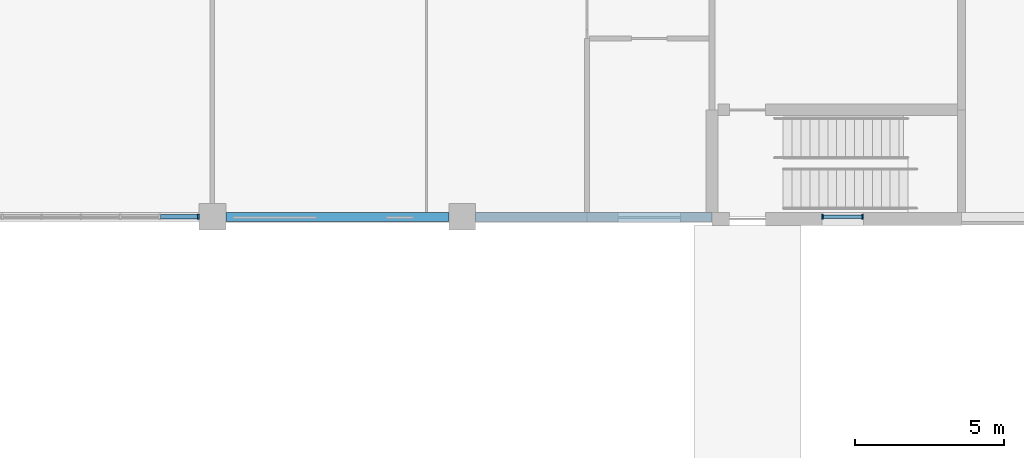
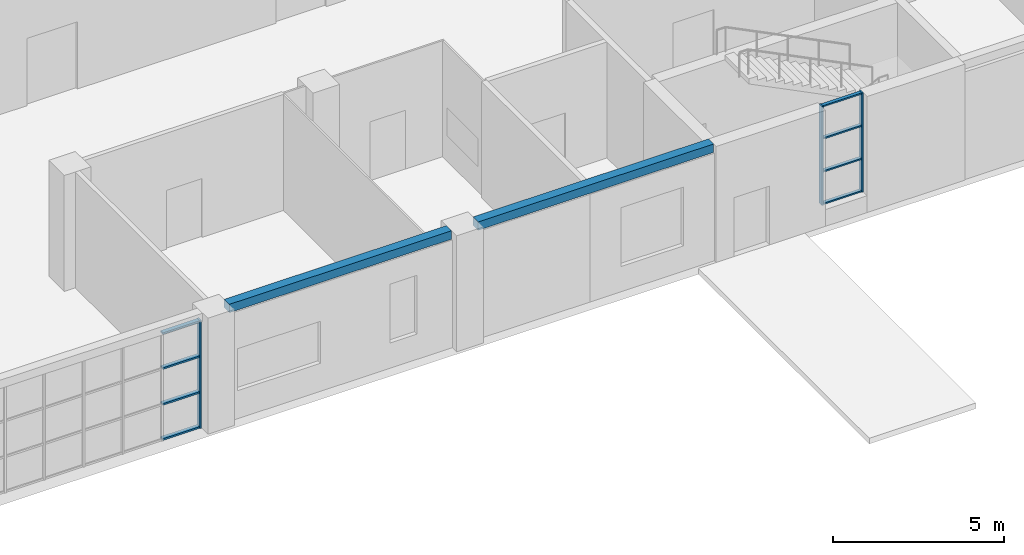
# One storey, part 60 of 138: 11 members, 2 beams, 2 elements without a shape of their own.
"""IFC4 building model written with IfcOpenShell, lengths in metres."""

from ifc_helpers import new_model, si_unit, direction, frame, origin, origin_2d, place, context, subcontext, project, spatial, rectangle, extrude, material, material_profile, profile_set, type_object, element, aggregate, save


model = new_model("IFC4")

# Units and contexts
model_context = context("Model", 3, precision=1e-05, world=origin(), true_north=direction((0.0, 1.0)))
body_context = subcontext(model_context, "Body", "Model", "MODEL_VIEW")
ifc_project = project(units=[si_unit("LENGTHUNIT", "METRE"), si_unit("AREAUNIT", "SQUARE_METRE"), si_unit("VOLUMEUNIT", "CUBIC_METRE"), si_unit("PLANEANGLEUNIT", "RADIAN"), si_unit("MASSUNIT", "GRAM", prefix="KILO")], contexts=[model_context])

# Site, building, storey
site_placement = place(None, origin())
site = spatial("IfcSite", under=ifc_project, at=site_placement, CompositionType="ELEMENT")
building_placement = place(site_placement, origin())
building = spatial("IfcBuilding", under=site, at=building_placement, Name="Yavir Park General Hospital", CompositionType="ELEMENT")
storey_placement = place(building_placement, origin())
storey = spatial("IfcBuildingStorey", under=building, at=storey_placement, Name="L00", CompositionType="ELEMENT", Elevation=0.0)

# Beams
ifc_material_1 = material(Name="Concrete C35/45", Category="concrete")
ifc_material_profile_1 = material_profile(ifc_material_1, rectangle(XDim=0.300048828125, YDim=0.300048828125, at=origin_2d()), Name="RC300x300")
ifc_profile_set_1 = profile_set([ifc_material_profile_1], Name="Concrete C35/45")
beam_type = type_object("IfcBeamType", Name="RC BEAM 300x300 edge beam", PredefinedType="BEAM", material=ifc_profile_set_1)
beam_1_placement = place(storey_placement, frame((118.050048828125, 0.0, 3.989990234375), z_axis=(1.0, 0.0, 0.0), x_axis=(0.0, 1.0, 0.0)))
element("IfcBeam", 1, at=beam_1_placement, inside=storey, type_object=beam_type, Name="B:EDGE:L00:008", PredefinedType="BEAM", context=body_context, shape_type="SweptSolid", body=[
    extrude(rectangle(XDim=0.300048828125, YDim=0.300048828125, at=origin_2d()), origin(), (0.0, 0.0, 1.0), 7.5),
])
beam_2_placement = place(storey_placement, frame((126.449951171875, 0.0, 3.989990234375), z_axis=(1.0, 0.0, 0.0), x_axis=(0.0, 1.0, 0.0)))
element("IfcBeam", 2, at=beam_2_placement, inside=storey, type_object=beam_type, Name="B:EDGE:L00:009", PredefinedType="BEAM", context=body_context, shape_type="SweptSolid", body=[
    extrude(rectangle(XDim=0.300048828125, YDim=0.300048828125, at=origin_2d()), origin(), (0.0, 0.0, 1.0), 7.949951171875),
])

# Curtain wall, members
ifc_material_2 = material(Name="Aluminium curtain wall frame with insulated glazing", Category="aluminium")
curtain_wall_type_1 = type_object("IfcCurtainWallType", Name="Reception glazing, 3840 high, 1400 module", PredefinedType="NOTDEFINED", material=ifc_material_2)
curtain_wall_1_placement = place(storey_placement, origin())
curtain_wall_1 = element("IfcCurtainWall", 3, at=curtain_wall_1_placement, inside=storey, type_object=curtain_wall_type_1, Name="CW8 L00-004", PredefinedType="NOTDEFINED")
ifc_material_3 = material(Name="Aluminium", Category="aluminium")
ifc_material_profile_2 = material_profile(ifc_material_3, rectangle(XDim=0.179931640625, YDim=0.06005859375, at=origin_2d()), Name="AL 60x180")
ifc_profile_set_2 = profile_set([ifc_material_profile_2], Name="Aluminium")
member_type_1 = type_object("IfcMemberType", Name="Reception glazing, 3840 high mullion 60 x 180", PredefinedType="MULLION", material=ifc_profile_set_2)
member_1_placement = place(storey_placement, frame((117.1201171875, 0.0, 0.0), z_axis=(0.0, 0.0, 1.0), x_axis=(0.0, 1.0, 0.0)))
member_1 = element("IfcMember", 4, at=member_1_placement, type_object=member_type_1, Name="CW8 mullion 7", PredefinedType="MULLION", context=body_context, shape_type="SweptSolid", body=[
    extrude(rectangle(XDim=0.179931640625, YDim=0.06005859375, at=origin_2d()), origin(), (0.0, 0.0, 1.0), 3.840087890625),
])
ifc_material_4 = material(Name="Aluminium", Category="aluminium")
ifc_material_profile_3 = material_profile(ifc_material_4, rectangle(XDim=0.139892578125, YDim=0.06005859375, at=origin_2d()), Name="AL 140x60")
ifc_profile_set_3 = profile_set([ifc_material_profile_3], Name="Aluminium")
member_type_2 = type_object("IfcMemberType", Name="Reception glazing, 3840 high transom 60 x 140", PredefinedType="MULLION", material=ifc_profile_set_3)
member_2_placement = place(storey_placement, frame((115.85498046875, 0.0, 0.030029296875), z_axis=(1.0, 0.0, 0.0), x_axis=(0.0, 1.0, 0.0)))
member_2 = element("IfcMember", 5, at=member_2_placement, type_object=member_type_2, Name="CW8 transom 6.1", PredefinedType="MULLION", context=body_context, shape_type="SweptSolid", body=[
    extrude(rectangle(XDim=0.139892578125, YDim=0.06005859375, at=origin_2d()), origin(), (0.0, 0.0, 1.0), 1.235107421875),
])
member_3_placement = place(storey_placement, frame((115.85498046875, 0.0, 1.280029296875), z_axis=(1.0, 0.0, 0.0), x_axis=(0.0, 1.0, 0.0)))
member_3 = element("IfcMember", 6, at=member_3_placement, type_object=member_type_2, Name="CW8 transom 6.2", PredefinedType="MULLION", context=body_context, shape_type="SweptSolid", body=[
    extrude(rectangle(XDim=0.139892578125, YDim=0.06005859375, at=origin_2d()), origin(), (0.0, 0.0, 1.0), 1.235107421875),
])
member_4_placement = place(storey_placement, frame((115.85498046875, 0.0, 2.56005859375), z_axis=(1.0, 0.0, 0.0), x_axis=(0.0, 1.0, 0.0)))
member_4 = element("IfcMember", 7, at=member_4_placement, type_object=member_type_2, Name="CW8 transom 6.3", PredefinedType="MULLION", context=body_context, shape_type="SweptSolid", body=[
    extrude(rectangle(XDim=0.139892578125, YDim=0.06005859375, at=origin_2d()), origin(), (0.0, 0.0, 1.0), 1.235107421875),
])
member_5_placement = place(storey_placement, frame((115.85498046875, 0.0, 3.81005859375), z_axis=(1.0, 0.0, 0.0), x_axis=(0.0, 1.0, 0.0)))
member_5 = element("IfcMember", 8, at=member_5_placement, type_object=member_type_2, Name="CW8 transom 6.4", PredefinedType="MULLION", context=body_context, shape_type="SweptSolid", body=[
    extrude(rectangle(XDim=0.139892578125, YDim=0.06005859375, at=origin_2d()), origin(), (0.0, 0.0, 1.0), 1.235107421875),
])
aggregate(curtain_wall_1, [member_1, member_2, member_3, member_4, member_5])

ifc_material_5 = material(Name="Aluminium curtain wall frame with insulated glazing", Category="aluminium")
curtain_wall_type_2 = type_object("IfcCurtainWallType", Name="Stair light slot, ground floor, 3540 high, 1400 module", PredefinedType="NOTDEFINED", material=ifc_material_5)
curtain_wall_2_placement = place(storey_placement, origin())
curtain_wall_2 = element("IfcCurtainWall", 9, at=curtain_wall_2_placement, inside=storey, type_object=curtain_wall_type_2, Name="CW19 L00-005", PredefinedType="NOTDEFINED")
ifc_material_6 = material(Name="Aluminium", Category="aluminium")
ifc_material_profile_4 = material_profile(ifc_material_6, rectangle(XDim=0.159912109375, YDim=0.050048828125, at=origin_2d()), Name="AL 50x160")
ifc_profile_set_4 = profile_set([ifc_material_profile_4], Name="Aluminium")
member_type_3 = type_object("IfcMemberType", Name="Stair light slot, ground floor, 3540 high mullion 50 x 160", PredefinedType="MULLION", material=ifc_profile_set_4)
member_6_placement = place(storey_placement, frame((138.125, 0.0, 0.60009765625), z_axis=(0.0, 0.0, 1.0), x_axis=(0.0, 1.0, 0.0)))
member_6 = element("IfcMember", 10, at=member_6_placement, type_object=member_type_3, Name="CW19 mullion 1", PredefinedType="MULLION", context=body_context, shape_type="SweptSolid", body=[
    extrude(rectangle(XDim=0.159912109375, YDim=0.050048828125, at=origin_2d()), origin(), (0.0, 0.0, 1.0), 3.539794921875),
])
member_7_placement = place(storey_placement, frame((139.47509765625, 0.0, 0.60009765625), z_axis=(0.0, 0.0, 1.0), x_axis=(0.0, 1.0, 0.0)))
member_7 = element("IfcMember", 11, at=member_7_placement, type_object=member_type_3, Name="CW19 mullion 2", PredefinedType="MULLION", context=body_context, shape_type="SweptSolid", body=[
    extrude(rectangle(XDim=0.159912109375, YDim=0.050048828125, at=origin_2d()), origin(), (0.0, 0.0, 1.0), 3.539794921875),
])
ifc_material_7 = material(Name="Aluminium", Category="aluminium")
ifc_material_profile_5 = material_profile(ifc_material_7, rectangle(XDim=0.1201171875, YDim=0.050048828125, at=origin_2d()), Name="AL 120x50")
ifc_profile_set_5 = profile_set([ifc_material_profile_5], Name="Aluminium")
member_type_4 = type_object("IfcMemberType", Name="Stair light slot, ground floor, 3540 high transom 50 x 120", PredefinedType="MULLION", material=ifc_profile_set_5)
member_8_placement = place(storey_placement, frame((138.14990234375, 0.0, 0.625), z_axis=(1.0, 0.0, 0.0), x_axis=(0.0, 1.0, 0.0)))
member_8 = element("IfcMember", 12, at=member_8_placement, type_object=member_type_4, Name="CW19 transom 1.1", PredefinedType="MULLION", context=body_context, shape_type="SweptSolid", body=[
    extrude(rectangle(XDim=0.1201171875, YDim=0.050048828125, at=origin_2d()), origin(), (0.0, 0.0, 1.0), 1.300048828125),
])
member_9_placement = place(storey_placement, frame((138.14990234375, 0.0, 1.780029296875), z_axis=(1.0, 0.0, 0.0), x_axis=(0.0, 1.0, 0.0)))
member_9 = element("IfcMember", 13, at=member_9_placement, type_object=member_type_4, Name="CW19 transom 1.2", PredefinedType="MULLION", context=body_context, shape_type="SweptSolid", body=[
    extrude(rectangle(XDim=0.1201171875, YDim=0.050048828125, at=origin_2d()), origin(), (0.0, 0.0, 1.0), 1.300048828125),
])
member_10_placement = place(storey_placement, frame((138.14990234375, 0.0, 2.9599609375), z_axis=(1.0, 0.0, 0.0), x_axis=(0.0, 1.0, 0.0)))
member_10 = element("IfcMember", 14, at=member_10_placement, type_object=member_type_4, Name="CW19 transom 1.3", PredefinedType="MULLION", context=body_context, shape_type="SweptSolid", body=[
    extrude(rectangle(XDim=0.1201171875, YDim=0.050048828125, at=origin_2d()), origin(), (0.0, 0.0, 1.0), 1.300048828125),
])
member_11_placement = place(storey_placement, frame((138.14990234375, 0.0, 4.114990234375), z_axis=(1.0, 0.0, 0.0), x_axis=(0.0, 1.0, 0.0)))
member_11 = element("IfcMember", 15, at=member_11_placement, type_object=member_type_4, Name="CW19 transom 1.4", PredefinedType="MULLION", context=body_context, shape_type="SweptSolid", body=[
    extrude(rectangle(XDim=0.1201171875, YDim=0.050048828125, at=origin_2d()), origin(), (0.0, 0.0, 1.0), 1.300048828125),
])
aggregate(curtain_wall_2, [member_6, member_7, member_8, member_9, member_10, member_11])

save(model, "model.ifc")
